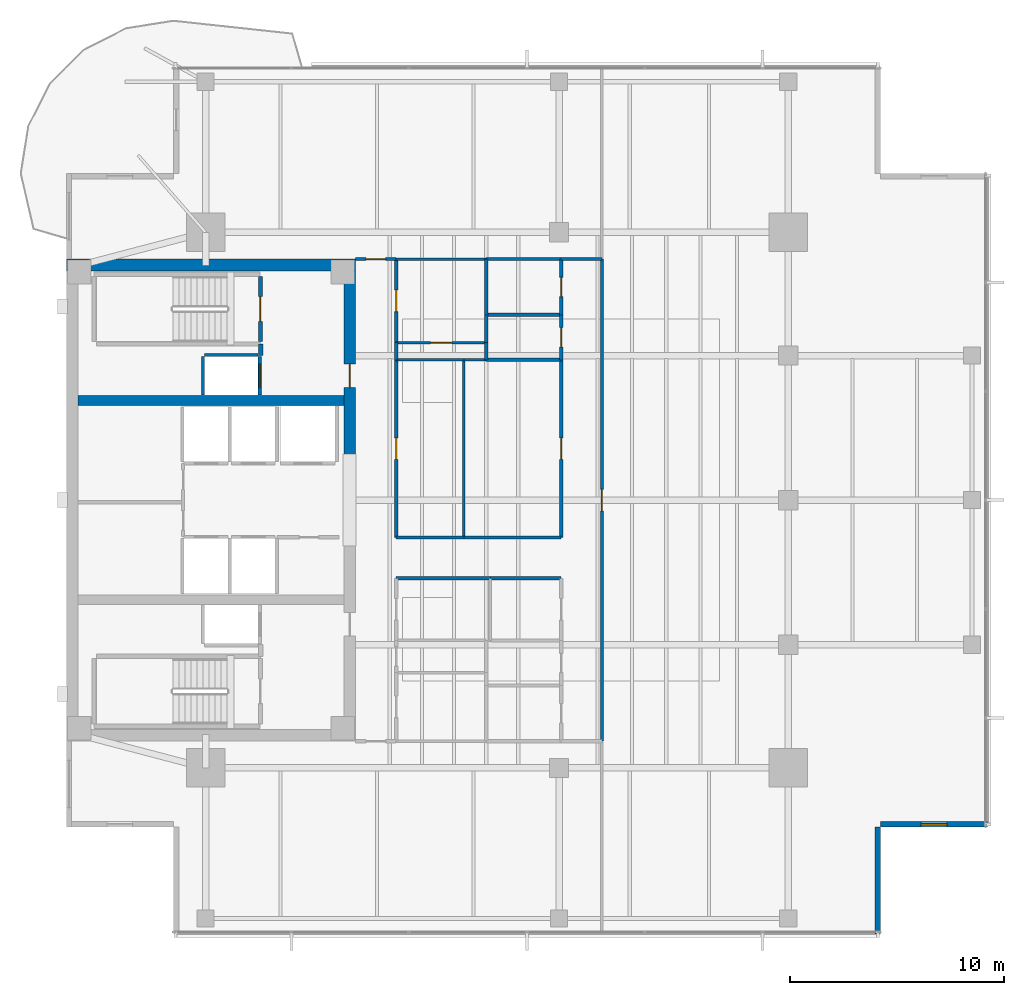
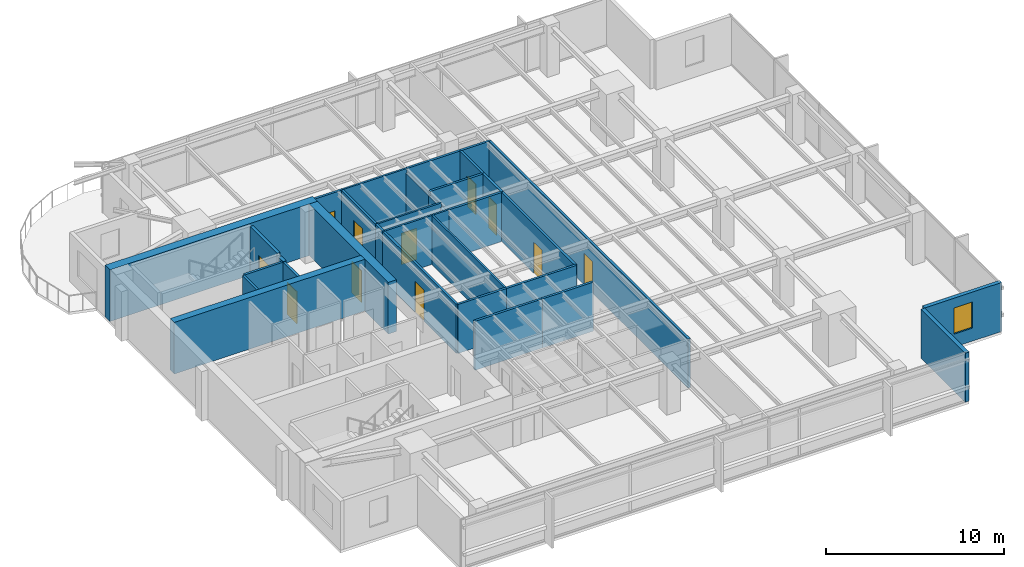
# One storey, part 9 of 14: 34 walls, 11 doors, 1 window, 12 openings.
"""IFC4 building model written with IfcOpenShell, lengths in metres."""

from ifc_helpers import new_model, si_unit, direction, frame, frame_2d, origin, place, context, subcontext, project, spatial, rectangle, extrude, material, layer, layer_set, type_object, element, fill, save


model = new_model("IFC4")

# Units and contexts
model_context = context("Model", 3, precision=1e-05, world=origin(), true_north=direction((0.0, 1.0)))
body_context = subcontext(model_context, "Body", "Model", "MODEL_VIEW")
ifc_project = project(units=[si_unit("LENGTHUNIT", "METRE"), si_unit("AREAUNIT", "SQUARE_METRE"), si_unit("VOLUMEUNIT", "CUBIC_METRE"), si_unit("PLANEANGLEUNIT", "RADIAN"), si_unit("MASSUNIT", "GRAM", prefix="KILO")], contexts=[model_context])

# Site, building, storey
site_placement = place(None, origin())
site = spatial("IfcSite", under=ifc_project, at=site_placement, CompositionType="ELEMENT")
building_placement = place(site_placement, origin())
building = spatial("IfcBuilding", under=site, at=building_placement, Name="Kinhvarn Gate Tower", CompositionType="ELEMENT")
storey_placement = place(building_placement, frame((0.0, 0.0, 195.14990234375)))
storey = spatial("IfcBuildingStorey", under=building, at=storey_placement, Name="L51", CompositionType="ELEMENT", Elevation=195.14990234375)

# Walls
ifc_material_1 = material(Name="Concrete C50/60", Category="concrete")
ifc_layer_1 = layer(ifc_material_1, 0.449951171875)
ifc_layer_set_1 = layer_set([ifc_layer_1], Name="Concrete C50/60")
wall_type_1 = type_object("IfcWallType", Name="WL-CORE-450", PredefinedType="SHEAR", material=ifc_layer_set_1)
wall_1_placement = place(storey_placement, frame((5.050048828125, 29.89990234375, 0.0), z_axis=(0.0, 0.0, 1.0), x_axis=(1.0, 0.0, 0.0)))
element("IfcWall", 1, at=wall_1_placement, inside=storey, type_object=wall_type_1, Name="Core North Spine Shear Wall L51 450 mm", PredefinedType="SHEAR", context=body_context, shape_type="SweptSolid", body=[
    extrude(rectangle(XDim=12.39990234375, YDim=0.449951171875, at=frame_2d((6.199951171875, 0.0))), origin(), (0.0, 0.0, 1.0), 3.550048828125),
])
ifc_material_2 = material(Name="Concrete C60/75", Category="concrete")
ifc_layer_2 = layer(ifc_material_2, 0.550048828125)
ifc_layer_set_2 = layer_set([ifc_layer_2], Name="Concrete C60/75")
wall_type_2 = type_object("IfcWallType", Name="WL-CORE-550", PredefinedType="SHEAR", material=ifc_layer_set_2)
wall_2_placement = place(storey_placement, frame((4.5, 36.22509765625, 0.0), z_axis=(0.0, 0.0, 1.0), x_axis=(1.0, 0.0, 0.0)))
element("IfcWall", 2, at=wall_2_placement, inside=storey, type_object=wall_type_2, Name="Core North Shear Wall L51 550 mm", PredefinedType="SHEAR", context=body_context, shape_type="SweptSolid", body=[
    extrude(rectangle(XDim=13.5, YDim=0.550048828125, at=frame_2d((6.75, 0.0))), origin(), (0.0, 0.0, 1.0), 3.550048828125),
])

# Wall, opening, door
wall_3_placement = place(storey_placement, frame((17.72509765625, 27.050048828125, 0.0), z_axis=(0.0, 0.0, 1.0), x_axis=(0.0, 1.0, 0.0)))
wall_3 = element("IfcWall", 3, at=wall_3_placement, inside=storey, type_object=wall_type_2, Name="Core East-North Shear Pier L51 550 mm", PredefinedType="SHEAR", context=body_context, shape_type="SweptSolid", body=[
    extrude(rectangle(XDim=8.89990234375, YDim=0.550048828125, at=frame_2d((4.449951171875, 0.0))), origin(), (0.0, 0.0, 1.0), 3.550048828125),
])
opening_1_placement = place(wall_3_placement, frame((3.449951171875, 0.0, 0.0)))
opening_1 = element("IfcOpeningElement", 4, at=opening_1_placement, cuts=wall_3, Name="Opening FD-02", PredefinedType="OPENING", context=body_context, shape_type="SweptSolid", body=[
    extrude(rectangle(XDim=1.10009765625, YDim=2.14990234375, at=frame_2d((0.550048828125, 1.074951171875))), frame((0.0, 0.28515625, 0.0), z_axis=(0.0, -1.0, 0.0), x_axis=(1.0, 0.0, 0.0)), (0.0, 0.0, 1.0), 0.570068359375),
])
ifc_material_3 = material(Name="Anodised aluminium AW-6063", Category="aluminium")
door_type_1 = type_object("IfcDoorType", Name="DR-FD-1100", OperationType="NOTDEFINED", PredefinedType="DOOR", material=ifc_material_3)
door_1_placement = place(opening_1_placement, origin())
door_1 = element("IfcDoor", 5, at=door_1_placement, inside=storey, type_object=door_type_1, Name="Firefighting Lobby Core Door (L51)", OperationType="SINGLE_SWING_LEFT", OverallHeight=2.14990234375, OverallWidth=1.10009765625, PredefinedType="DOOR", context=body_context, shape_type="SweptSolid", body=[
    extrude(rectangle(XDim=1.10009765625, YDim=2.14990234375, at=frame_2d((0.550048828125, 1.074951171875))), frame((0.0, 0.02490234375, 0.0), z_axis=(0.0, -1.0, 0.0), x_axis=(1.0, 0.0, 0.0)), (0.0, 0.0, 1.0), 0.050048828125),
])
fill(opening_1, door_1)

# Wall
ifc_material_4 = material(Name="Fired architectural terracotta", Category="masonry")
ifc_layer_3 = layer(ifc_material_4, 0.25)
ifc_layer_set_3 = layer_set([ifc_layer_3], Name="Fired architectural terracotta")
wall_type_3 = type_object("IfcWallType", Name="WL-EXT-250", PredefinedType="SOLIDWALL", material=ifc_layer_set_3)
wall_4_placement = place(storey_placement, frame((42.375, 5.0, 0.0), z_axis=(0.0, 0.0, 1.0), x_axis=(0.0, 1.0, 0.0)))
element("IfcWall", 6, at=wall_4_placement, inside=storey, type_object=wall_type_3, Name="Exterior Solidwall Wall EW-250 (L51 SE-Notch-1)", PredefinedType="SOLIDWALL", context=body_context, shape_type="SweptSolid", body=[
    extrude(rectangle(XDim=5.0, YDim=0.25, at=frame_2d((2.5, 0.0))), origin(), (0.0, 0.0, 1.0), 3.3701171875),
])

# Wall, opening, window
wall_5_placement = place(storey_placement, frame((42.5, 10.125, 0.0), z_axis=(0.0, 0.0, 1.0), x_axis=(1.0, 0.0, 0.0)))
wall_5 = element("IfcWall", 7, at=wall_5_placement, inside=storey, type_object=wall_type_3, Name="Exterior Solidwall Wall EW-250 (L51 SE-Notch-2)", PredefinedType="SOLIDWALL", context=body_context, shape_type="SweptSolid", body=[
    extrude(rectangle(XDim=5.0, YDim=0.25, at=frame_2d((2.5, 0.0))), origin(), (0.0, 0.0, 1.0), 3.3701171875),
])
opening_2_placement = place(wall_5_placement, frame((1.89990234375, 0.0, 0.89990234375)))
opening_2 = element("IfcOpeningElement", 8, at=opening_2_placement, cuts=wall_5, Name="Opening WN-02", PredefinedType="OPENING", context=body_context, shape_type="SweptSolid", body=[
    extrude(rectangle(XDim=1.199951171875, YDim=1.800048828125, at=frame_2d((0.60009765625, 0.89990234375))), frame((0.0, 0.135009765625, 0.0), z_axis=(0.0, -1.0, 0.0), x_axis=(1.0, 0.0, 0.0)), (0.0, 0.0, 1.0), 0.27001953125),
])
ifc_material_5 = material(Name="Clear low-e double glazing", Category="glass")
window_type = type_object("IfcWindowType", Name="WIN-NTC-1200", PartitioningType="SINGLE_PANEL", PredefinedType="WINDOW", material=ifc_material_5)
window_placement = place(opening_2_placement, origin())
window = element("IfcWindow", 9, at=window_placement, inside=storey, type_object=window_type, Name="Recessed Corner Notch Punched Window 1200x1800 mm (L51)", OverallHeight=1.800048828125, OverallWidth=1.199951171875, PartitioningType="SINGLE_PANEL", PredefinedType="WINDOW", context=body_context, shape_type="SweptSolid", body=[
    extrude(rectangle(XDim=1.199951171875, YDim=1.800048828125, at=frame_2d((0.60009765625, 0.89990234375))), frame((0.0, 0.030029296875, 0.0), z_axis=(0.0, -1.0, 0.0), x_axis=(1.0, 0.0, 0.0)), (0.0, 0.0, 1.0), 0.06005859375),
])
fill(opening_2, window)

# Walls
ifc_material_6 = material(Name="Gypsum acoustic partition board")
ifc_layer_4 = layer(ifc_material_6, 0.14990234375)
ifc_layer_set_4 = layer_set([ifc_layer_4], Name="Gypsum acoustic partition board")
wall_type_4 = type_object("IfcWallType", Name="WL-PLM-150", PredefinedType="PLUMBINGWALL", material=ifc_layer_set_4)
wall_6_placement = place(storey_placement, frame((24.10009765625, 33.89990234375, 0.0), z_axis=(0.0, 0.0, 1.0), x_axis=(1.0, 0.0, 0.0)))
element("IfcWall", 10, at=wall_6_placement, inside=storey, type_object=wall_type_4, Name="Interior Partition PLW-150 (L51)", PredefinedType="PLUMBINGWALL", context=body_context, shape_type="SweptSolid", body=[
    extrude(rectangle(XDim=3.5, YDim=0.14990234375, at=frame_2d((1.75, 0.0))), origin(), (0.0, 0.0, 1.0), 3.3701171875),
])
wall_7_placement = place(storey_placement, frame((24.10009765625, 33.89990234375, 0.0), z_axis=(0.0, 0.0, 1.0), x_axis=(0.0, 1.0, 0.0)))
element("IfcWall", 11, at=wall_7_placement, inside=storey, type_object=wall_type_4, Name="Interior Partition PLW-150 (L51)", PredefinedType="PLUMBINGWALL", context=body_context, shape_type="SweptSolid", body=[
    extrude(rectangle(XDim=2.60009765625, YDim=0.14990234375, at=frame_2d((1.300048828125, 0.0))), origin(), (0.0, 0.0, 1.0), 3.070068359375),
])
wall_8_placement = place(storey_placement, frame((24.10009765625, 36.5, 0.0), z_axis=(0.0, 0.0, 1.0), x_axis=(1.0, 0.0, 0.0)))
element("IfcWall", 12, at=wall_8_placement, inside=storey, type_object=wall_type_4, Name="Interior Partition PLW-150 (L51)", PredefinedType="PLUMBINGWALL", context=body_context, shape_type="SweptSolid", body=[
    extrude(rectangle(XDim=3.5, YDim=0.14990234375, at=frame_2d((1.75, 0.0))), origin(), (0.0, 0.0, 1.0), 3.3701171875),
])
wall_9_placement = place(storey_placement, frame((24.10009765625, 32.60009765625, 0.0), z_axis=(0.0, 0.0, 1.0), x_axis=(0.0, 1.0, 0.0)))
element("IfcWall", 13, at=wall_9_placement, inside=storey, type_object=wall_type_4, Name="Interior Partition PLW-150 (L51)", PredefinedType="PLUMBINGWALL", context=body_context, shape_type="SweptSolid", body=[
    extrude(rectangle(XDim=1.2998046875, YDim=0.14990234375, at=frame_2d((0.64990234375, 0.0))), origin(), (0.0, 0.0, 1.0), 3.070068359375),
])
wall_10_placement = place(storey_placement, frame((24.10009765625, 31.800048828125, 0.0), z_axis=(0.0, 0.0, 1.0), x_axis=(0.0, 1.0, 0.0)))
element("IfcWall", 14, at=wall_10_placement, inside=storey, type_object=wall_type_4, Name="Interior Partition PLW-150 (L51)", PredefinedType="PLUMBINGWALL", context=body_context, shape_type="SweptSolid", body=[
    extrude(rectangle(XDim=0.800048828125, YDim=0.14990234375, at=frame_2d((0.39990234375, 0.0))), origin(), (0.0, 0.0, 1.0), 3.070068359375),
])
wall_11_placement = place(storey_placement, frame((24.10009765625, 31.800048828125, 0.0), z_axis=(0.0, 0.0, 1.0), x_axis=(1.0, 0.0, 0.0)))
element("IfcWall", 15, at=wall_11_placement, inside=storey, type_object=wall_type_4, Name="Interior Partition PLW-150 (L51)", PredefinedType="PLUMBINGWALL", context=body_context, shape_type="SweptSolid", body=[
    extrude(rectangle(XDim=3.5, YDim=0.14990234375, at=frame_2d((1.75, 0.0))), origin(), (0.0, 0.0, 1.0), 3.3701171875),
])

# Wall, opening, door
ifc_layer_5 = layer(ifc_material_6, 0.14990234375)
ifc_layer_set_5 = layer_set([ifc_layer_5], Name="Gypsum acoustic partition board")
wall_type_5 = type_object("IfcWallType", Name="WL-PLM-150F", PredefinedType="PLUMBINGWALL", material=ifc_layer_set_5)
wall_12_placement = place(storey_placement, frame((27.60009765625, 33.89990234375, 0.0), z_axis=(0.0, 0.0, 1.0), x_axis=(0.0, 1.0, 0.0)))
wall_12 = element("IfcWall", 16, at=wall_12_placement, inside=storey, type_object=wall_type_5, Name="Interior Partition PLW-150F (L51)", PredefinedType="PLUMBINGWALL", context=body_context, shape_type="SweptSolid", body=[
    extrude(rectangle(XDim=2.60009765625, YDim=0.14990234375, at=frame_2d((1.300048828125, 0.0))), origin(), (0.0, 0.0, 1.0), 3.3701171875),
])
opening_3_placement = place(wall_12_placement, frame((0.85009765625, 0.0, 0.0)))
opening_3 = element("IfcOpeningElement", 17, at=opening_3_placement, cuts=wall_12, Name="Opening FD-04", PredefinedType="OPENING", context=body_context, shape_type="SweptSolid", body=[
    extrude(rectangle(XDim=0.89990234375, YDim=2.10009765625, at=frame_2d((0.449951171875, 1.050048828125))), frame((0.0, 0.0849609375, 0.0), z_axis=(0.0, -1.0, 0.0), x_axis=(1.0, 0.0, 0.0)), (0.0, 0.0, 1.0), 0.169921875),
])
door_type_2 = type_object("IfcDoorType", Name="DR-FD-900", OperationType="NOTDEFINED", PredefinedType="DOOR", material=ifc_material_3)
door_2_placement = place(opening_3_placement, origin())
door_2 = element("IfcDoor", 18, at=door_2_placement, inside=storey, type_object=door_type_2, Name="Rated Riser & Service Closet Fire Door 900x2100 mm (L51)", OperationType="SINGLE_SWING_RIGHT", OverallHeight=2.10009765625, OverallWidth=0.89990234375, PredefinedType="DOOR", context=body_context, shape_type="SweptSolid", body=[
    extrude(rectangle(XDim=0.89990234375, YDim=2.10009765625, at=frame_2d((0.449951171875, 1.050048828125))), frame((0.0, 0.02490234375, 0.0), z_axis=(0.0, -1.0, 0.0), x_axis=(1.0, 0.0, 0.0)), (0.0, 0.0, 1.0), 0.050048828125),
])
fill(opening_3, door_2)

wall_13_placement = place(storey_placement, frame((27.60009765625, 31.800048828125, 0.0), z_axis=(0.0, 0.0, 1.0), x_axis=(0.0, 1.0, 0.0)))
wall_13 = element("IfcWall", 19, at=wall_13_placement, inside=storey, type_object=wall_type_5, Name="Interior Partition PLW-150F (L51)", PredefinedType="PLUMBINGWALL", context=body_context, shape_type="SweptSolid", body=[
    extrude(rectangle(XDim=2.099853515625, YDim=0.14990234375, at=frame_2d((1.0498046875, 0.0))), origin(), (0.0, 0.0, 1.0), 3.3701171875),
])
opening_4_placement = place(wall_13_placement, frame((0.60009765625, 0.0, 0.0)))
opening_4 = element("IfcOpeningElement", 20, at=opening_4_placement, cuts=wall_13, Name="Opening FD-04", PredefinedType="OPENING", context=body_context, shape_type="SweptSolid", body=[
    extrude(rectangle(XDim=0.89990234375, YDim=2.10009765625, at=frame_2d((0.449951171875, 1.050048828125))), frame((0.0, 0.0849609375, 0.0), z_axis=(0.0, -1.0, 0.0), x_axis=(1.0, 0.0, 0.0)), (0.0, 0.0, 1.0), 0.169921875),
])
door_3_placement = place(opening_4_placement, origin())
door_3 = element("IfcDoor", 21, at=door_3_placement, inside=storey, type_object=door_type_2, Name="Rated Riser & Service Closet Fire Door 900x2100 mm (L51)", OperationType="SINGLE_SWING_RIGHT", OverallHeight=2.10009765625, OverallWidth=0.89990234375, PredefinedType="DOOR", context=body_context, shape_type="SweptSolid", body=[
    extrude(rectangle(XDim=0.89990234375, YDim=2.10009765625, at=frame_2d((0.449951171875, 1.050048828125))), frame((0.0, 0.02490234375, 0.0), z_axis=(0.0, -1.0, 0.0), x_axis=(1.0, 0.0, 0.0)), (0.0, 0.0, 1.0), 0.050048828125),
])
fill(opening_4, door_3)

ifc_layer_6 = layer(ifc_material_6, 0.1201171875)
ifc_layer_set_6 = layer_set([ifc_layer_6], Name="Gypsum acoustic partition board")
wall_type_6 = type_object("IfcWallType", Name="WL-PRT-120", PredefinedType="PARTITIONING", material=ifc_layer_set_6)
wall_14_placement = place(storey_placement, frame((19.89990234375, 32.60009765625, 0.0), z_axis=(0.0, 0.0, 1.0), x_axis=(1.0, 0.0, 0.0)))
wall_14 = element("IfcWall", 22, at=wall_14_placement, inside=storey, type_object=wall_type_6, Name="Interior Partition PW-120 (L51)", PredefinedType="PARTITIONING", context=body_context, shape_type="SweptSolid", body=[
    extrude(rectangle(XDim=4.2001953125, YDim=0.1201171875, at=frame_2d((2.10009765625, 0.0))), origin(), (0.0, 0.0, 1.0), 3.3701171875),
])
opening_5_placement = place(wall_14_placement, frame((1.60009765625, 0.0, 0.0)))
opening_5 = element("IfcOpeningElement", 23, at=opening_5_placement, cuts=wall_14, Name="Opening ID-02", PredefinedType="OPENING", context=body_context, shape_type="SweptSolid", body=[
    extrude(rectangle(XDim=1.0, YDim=2.14990234375, at=frame_2d((0.5, 1.074951171875))), frame((0.0, 0.070068359375, 0.0), z_axis=(0.0, -1.0, 0.0), x_axis=(1.0, 0.0, 0.0)), (0.0, 0.0, 1.0), 0.14013671875),
])
door_type_3 = type_object("IfcDoorType", Name="DR-INT-1000", OperationType="NOTDEFINED", PredefinedType="DOOR", material=ifc_material_3)
door_4_placement = place(opening_5_placement, origin())
door_4 = element("IfcDoor", 24, at=door_4_placement, inside=storey, type_object=door_type_3, Name="Standard Office & Meeting Room Door 1000x2150 mm (L51)", OperationType="SINGLE_SWING_RIGHT", OverallHeight=2.14990234375, OverallWidth=1.0, PredefinedType="DOOR", context=body_context, shape_type="SweptSolid", body=[
    extrude(rectangle(XDim=1.0, YDim=2.14990234375, at=frame_2d((0.5, 1.074951171875))), frame((0.0, 0.02490234375, 0.0), z_axis=(0.0, -1.0, 0.0), x_axis=(1.0, 0.0, 0.0)), (0.0, 0.0, 1.0), 0.050048828125),
])
fill(opening_5, door_4)

# Walls
wall_15_placement = place(storey_placement, frame((19.89990234375, 36.5, 0.0), z_axis=(0.0, 0.0, 1.0), x_axis=(1.0, 0.0, 0.0)))
element("IfcWall", 25, at=wall_15_placement, inside=storey, type_object=wall_type_6, Name="Interior Partition PW-120 (L51)", PredefinedType="PARTITIONING", context=body_context, shape_type="SweptSolid", body=[
    extrude(rectangle(XDim=4.2001953125, YDim=0.1201171875, at=frame_2d((2.10009765625, 0.0))), origin(), (0.0, 0.0, 1.0), 3.3701171875),
])
wall_16_placement = place(storey_placement, frame((19.89990234375, 31.800048828125, 0.0), z_axis=(0.0, 0.0, 1.0), x_axis=(1.0, 0.0, 0.0)))
element("IfcWall", 26, at=wall_16_placement, inside=storey, type_object=wall_type_6, Name="Interior Partition PW-120 (L51)", PredefinedType="PARTITIONING", context=body_context, shape_type="SweptSolid", body=[
    extrude(rectangle(XDim=3.16015625, YDim=0.1201171875, at=frame_2d((1.580078125, 0.0))), origin(), (0.0, 0.0, 1.0), 3.3701171875),
])
wall_17_placement = place(storey_placement, frame((23.06005859375, 31.800048828125, 0.0), z_axis=(0.0, 0.0, 1.0), x_axis=(1.0, 0.0, 0.0)))
element("IfcWall", 27, at=wall_17_placement, inside=storey, type_object=wall_type_6, Name="Interior Partition PW-120 (L51)", PredefinedType="PARTITIONING", context=body_context, shape_type="SweptSolid", body=[
    extrude(rectangle(XDim=1.0400390625, YDim=0.1201171875, at=frame_2d((0.52001953125, 0.0))), origin(), (0.0, 0.0, 1.0), 3.3701171875),
])
wall_18_placement = place(storey_placement, frame((23.06005859375, 23.5, 0.0), z_axis=(0.0, 0.0, 1.0), x_axis=(0.0, 1.0, 0.0)))
element("IfcWall", 28, at=wall_18_placement, inside=storey, type_object=wall_type_6, Name="Interior Partition PW-120 (L51)", PredefinedType="PARTITIONING", context=body_context, shape_type="SweptSolid", body=[
    extrude(rectangle(XDim=8.300048828125, YDim=0.1201171875, at=frame_2d((4.14990234375, 0.0))), origin(), (0.0, 0.0, 1.0), 3.3701171875),
])

# Wall, opening, door
ifc_layer_7 = layer(ifc_material_6, 0.14990234375)
ifc_layer_set_7 = layer_set([ifc_layer_7], Name="Gypsum acoustic partition board")
wall_type_7 = type_object("IfcWallType", Name="WL-PRT-150F", PredefinedType="PARTITIONING", material=ifc_layer_set_7)
wall_19_placement = place(storey_placement, frame((19.89990234375, 32.60009765625, 0.0), z_axis=(0.0, 0.0, 1.0), x_axis=(0.0, 1.0, 0.0)))
wall_19 = element("IfcWall", 29, at=wall_19_placement, inside=storey, type_object=wall_type_7, Name="Interior Partition PW-150F (L51)", PredefinedType="PARTITIONING", context=body_context, shape_type="SweptSolid", body=[
    extrude(rectangle(XDim=3.89990234375, YDim=0.14990234375, at=frame_2d((1.949951171875, 0.0))), origin(), (0.0, 0.0, 1.0), 3.3701171875),
])
opening_6_placement = place(wall_19_placement, frame((1.449951171875, 0.0, 0.0)))
opening_6 = element("IfcOpeningElement", 30, at=opening_6_placement, cuts=wall_19, Name="Opening ID-02", PredefinedType="OPENING", context=body_context, shape_type="SweptSolid", body=[
    extrude(rectangle(XDim=1.0, YDim=2.14990234375, at=frame_2d((0.5, 1.074951171875))), frame((0.0, 0.0849609375, 0.0), z_axis=(0.0, -1.0, 0.0), x_axis=(1.0, 0.0, 0.0)), (0.0, 0.0, 1.0), 0.169921875),
])
door_5_placement = place(opening_6_placement, origin())
door_5 = element("IfcDoor", 31, at=door_5_placement, inside=storey, type_object=door_type_3, Name="Standard Office & Meeting Room Door 1000x2150 mm (L51)", OperationType="SINGLE_SWING_RIGHT", OverallHeight=2.14990234375, OverallWidth=1.0, PredefinedType="DOOR", context=body_context, shape_type="SweptSolid", body=[
    extrude(rectangle(XDim=1.0, YDim=2.14990234375, at=frame_2d((0.5, 1.074951171875))), frame((0.0, 0.02490234375, 0.0), z_axis=(0.0, -1.0, 0.0), x_axis=(1.0, 0.0, 0.0)), (0.0, 0.0, 1.0), 0.050048828125),
])
fill(opening_6, door_5)

# Wall
wall_20_placement = place(storey_placement, frame((19.89990234375, 31.800048828125, 0.0), z_axis=(0.0, 0.0, 1.0), x_axis=(0.0, 1.0, 0.0)))
element("IfcWall", 32, at=wall_20_placement, inside=storey, type_object=wall_type_7, Name="Interior Partition PW-150F (L51)", PredefinedType="PARTITIONING", context=body_context, shape_type="SweptSolid", body=[
    extrude(rectangle(XDim=0.800048828125, YDim=0.14990234375, at=frame_2d((0.39990234375, 0.0))), origin(), (0.0, 0.0, 1.0), 3.3701171875),
])

# Wall, opening, door
wall_21_placement = place(storey_placement, frame((19.89990234375, 23.5, 0.0), z_axis=(0.0, 0.0, 1.0), x_axis=(0.0, 1.0, 0.0)))
wall_21 = element("IfcWall", 33, at=wall_21_placement, inside=storey, type_object=wall_type_7, Name="Interior Partition PW-150F (L51)", PredefinedType="PARTITIONING", context=body_context, shape_type="SweptSolid", body=[
    extrude(rectangle(XDim=8.300048828125, YDim=0.14990234375, at=frame_2d((4.14990234375, 0.0))), origin(), (0.0, 0.0, 1.0), 3.3701171875),
])
opening_7_placement = place(wall_21_placement, frame((3.64990234375, 0.0, 0.0)))
opening_7 = element("IfcOpeningElement", 34, at=opening_7_placement, cuts=wall_21, Name="Opening ID-02", PredefinedType="OPENING", context=body_context, shape_type="SweptSolid", body=[
    extrude(rectangle(XDim=1.0, YDim=2.14990234375, at=frame_2d((0.5, 1.074951171875))), frame((0.0, 0.0849609375, 0.0), z_axis=(0.0, -1.0, 0.0), x_axis=(1.0, 0.0, 0.0)), (0.0, 0.0, 1.0), 0.169921875),
])
door_6_placement = place(opening_7_placement, origin())
door_6 = element("IfcDoor", 35, at=door_6_placement, inside=storey, type_object=door_type_3, Name="Standard Office & Meeting Room Door 1000x2150 mm (L51)", OperationType="SINGLE_SWING_RIGHT", OverallHeight=2.14990234375, OverallWidth=1.0, PredefinedType="DOOR", context=body_context, shape_type="SweptSolid", body=[
    extrude(rectangle(XDim=1.0, YDim=2.14990234375, at=frame_2d((0.5, 1.074951171875))), frame((0.0, 0.02490234375, 0.0), z_axis=(0.0, -1.0, 0.0), x_axis=(1.0, 0.0, 0.0)), (0.0, 0.0, 1.0), 0.050048828125),
])
fill(opening_7, door_6)

wall_22_placement = place(storey_placement, frame((18.0, 36.5, 0.0), z_axis=(0.0, 0.0, 1.0), x_axis=(1.0, 0.0, 0.0)))
wall_22 = element("IfcWall", 36, at=wall_22_placement, inside=storey, type_object=wall_type_7, Name="Interior Partition PW-150F (L51)", PredefinedType="PARTITIONING", context=body_context, shape_type="SweptSolid", body=[
    extrude(rectangle(XDim=1.89990234375, YDim=0.14990234375, at=frame_2d((0.949951171875, 0.0))), origin(), (0.0, 0.0, 1.0), 3.3701171875),
])
opening_8_placement = place(wall_22_placement, frame((0.5, 0.0, 0.0)))
opening_8 = element("IfcOpeningElement", 37, at=opening_8_placement, cuts=wall_22, Name="Opening ID-03", PredefinedType="OPENING", context=body_context, shape_type="SweptSolid", body=[
    extrude(rectangle(XDim=0.89990234375, YDim=2.10009765625, at=frame_2d((0.449951171875, 1.050048828125))), frame((0.0, 0.0849609375, 0.0), z_axis=(0.0, -1.0, 0.0), x_axis=(1.0, 0.0, 0.0)), (0.0, 0.0, 1.0), 0.169921875),
])
door_type_4 = type_object("IfcDoorType", Name="DR-INT-900", OperationType="NOTDEFINED", PredefinedType="DOOR", material=ifc_material_3)
door_7_placement = place(opening_8_placement, origin())
door_7 = element("IfcDoor", 38, at=door_7_placement, inside=storey, type_object=door_type_4, Name="Cellular Office & Restroom Door 900x2100 mm (L51)", OperationType="SINGLE_SWING_RIGHT", OverallHeight=2.10009765625, OverallWidth=0.89990234375, PredefinedType="DOOR", context=body_context, shape_type="SweptSolid", body=[
    extrude(rectangle(XDim=0.89990234375, YDim=2.10009765625, at=frame_2d((0.449951171875, 1.050048828125))), frame((0.0, 0.02490234375, 0.0), z_axis=(0.0, -1.0, 0.0), x_axis=(1.0, 0.0, 0.0)), (0.0, 0.0, 1.0), 0.050048828125),
])
fill(opening_8, door_7)

# Walls
wall_23_placement = place(storey_placement, frame((19.89990234375, 21.60009765625, 0.0), z_axis=(0.0, 0.0, 1.0), x_axis=(1.0, 0.0, 0.0)))
element("IfcWall", 39, at=wall_23_placement, inside=storey, type_object=wall_type_7, Name="Interior Partition PW-150F (L51)", PredefinedType="PARTITIONING", context=body_context, shape_type="SweptSolid", body=[
    extrude(rectangle(XDim=4.39013671875, YDim=0.14990234375, at=frame_2d((2.195068359375, 0.0))), origin(), (0.0, 0.0, 1.0), 3.3701171875),
])
wall_24_placement = place(storey_placement, frame((24.2900390625, 21.60009765625, 0.0), z_axis=(0.0, 0.0, 1.0), x_axis=(1.0, 0.0, 0.0)))
element("IfcWall", 40, at=wall_24_placement, inside=storey, type_object=wall_type_7, Name="Interior Partition PW-150F (L51)", PredefinedType="PARTITIONING", context=body_context, shape_type="SweptSolid", body=[
    extrude(rectangle(XDim=3.31005859375, YDim=0.14990234375, at=frame_2d((1.655029296875, 0.0))), origin(), (0.0, 0.0, 1.0), 3.3701171875),
])
wall_25_placement = place(storey_placement, frame((19.89990234375, 23.5, 0.0), z_axis=(0.0, 0.0, 1.0), x_axis=(1.0, 0.0, 0.0)))
element("IfcWall", 41, at=wall_25_placement, inside=storey, type_object=wall_type_7, Name="Interior Partition PW-150F (L51)", PredefinedType="PARTITIONING", context=body_context, shape_type="SweptSolid", body=[
    extrude(rectangle(XDim=3.16015625, YDim=0.14990234375, at=frame_2d((1.580078125, 0.0))), origin(), (0.0, 0.0, 1.0), 3.3701171875),
])
wall_26_placement = place(storey_placement, frame((23.06005859375, 23.5, 0.0), z_axis=(0.0, 0.0, 1.0), x_axis=(1.0, 0.0, 0.0)))
element("IfcWall", 42, at=wall_26_placement, inside=storey, type_object=wall_type_7, Name="Interior Partition PW-150F (L51)", PredefinedType="PARTITIONING", context=body_context, shape_type="SweptSolid", body=[
    extrude(rectangle(XDim=4.5400390625, YDim=0.14990234375, at=frame_2d((2.27001953125, 0.0))), origin(), (0.0, 0.0, 1.0), 3.3701171875),
])

# Wall, opening, door
wall_27_placement = place(storey_placement, frame((27.60009765625, 23.5, 0.0), z_axis=(0.0, 0.0, 1.0), x_axis=(0.0, 1.0, 0.0)))
wall_27 = element("IfcWall", 43, at=wall_27_placement, inside=storey, type_object=wall_type_7, Name="Interior Partition PW-150F (L51)", PredefinedType="PARTITIONING", context=body_context, shape_type="SweptSolid", body=[
    extrude(rectangle(XDim=8.300048828125, YDim=0.14990234375, at=frame_2d((4.14990234375, 0.0))), origin(), (0.0, 0.0, 1.0), 3.3701171875),
])
opening_9_placement = place(wall_27_placement, frame((3.64990234375, 0.0, 0.0)))
opening_9 = element("IfcOpeningElement", 44, at=opening_9_placement, cuts=wall_27, Name="Opening ID-02", PredefinedType="OPENING", context=body_context, shape_type="SweptSolid", body=[
    extrude(rectangle(XDim=1.0, YDim=2.14990234375, at=frame_2d((0.5, 1.074951171875))), frame((0.0, 0.0849609375, 0.0), z_axis=(0.0, -1.0, 0.0), x_axis=(1.0, 0.0, 0.0)), (0.0, 0.0, 1.0), 0.169921875),
])
door_8_placement = place(opening_9_placement, origin())
door_8 = element("IfcDoor", 45, at=door_8_placement, inside=storey, type_object=door_type_3, Name="Standard Office & Meeting Room Door 1000x2150 mm (L51)", OperationType="SINGLE_SWING_RIGHT", OverallHeight=2.14990234375, OverallWidth=1.0, PredefinedType="DOOR", context=body_context, shape_type="SweptSolid", body=[
    extrude(rectangle(XDim=1.0, YDim=2.14990234375, at=frame_2d((0.5, 1.074951171875))), frame((0.0, 0.02490234375, 0.0), z_axis=(0.0, -1.0, 0.0), x_axis=(1.0, 0.0, 0.0)), (0.0, 0.0, 1.0), 0.050048828125),
])
fill(opening_9, door_8)

# Wall
wall_28_placement = place(storey_placement, frame((27.60009765625, 36.5, 0.0), z_axis=(0.0, 0.0, 1.0), x_axis=(1.0, 0.0, 0.0)))
element("IfcWall", 46, at=wall_28_placement, inside=storey, type_object=wall_type_7, Name="Interior Partition PW-150F (L51)", PredefinedType="PARTITIONING", context=body_context, shape_type="SweptSolid", body=[
    extrude(rectangle(XDim=1.89990234375, YDim=0.14990234375, at=frame_2d((0.949951171875, 0.0))), origin(), (0.0, 0.0, 1.0), 3.3701171875),
])

# Wall, opening, door
wall_29_placement = place(storey_placement, frame((29.5, 14.0, 0.0), z_axis=(0.0, 0.0, 1.0), x_axis=(0.0, 1.0, 0.0)))
wall_29 = element("IfcWall", 47, at=wall_29_placement, inside=storey, type_object=wall_type_7, Name="Interior Partition PW-150F (L51)", PredefinedType="PARTITIONING", context=body_context, shape_type="SweptSolid", body=[
    extrude(rectangle(XDim=22.5, YDim=0.14990234375, at=frame_2d((11.25, 0.0))), origin(), (0.0, 0.0, 1.0), 3.3701171875),
])
opening_10_placement = place(wall_29_placement, frame((10.75, 0.0, 0.0)))
opening_10 = element("IfcOpeningElement", 48, at=opening_10_placement, cuts=wall_29, Name="Opening ID-02", PredefinedType="OPENING", context=body_context, shape_type="SweptSolid", body=[
    extrude(rectangle(XDim=1.0, YDim=2.14990234375, at=frame_2d((0.5, 1.074951171875))), frame((0.0, 0.0849609375, 0.0), z_axis=(0.0, -1.0, 0.0), x_axis=(1.0, 0.0, 0.0)), (0.0, 0.0, 1.0), 0.169921875),
])
door_9_placement = place(opening_10_placement, origin())
door_9 = element("IfcDoor", 49, at=door_9_placement, inside=storey, type_object=door_type_3, Name="Standard Office & Meeting Room Door 1000x2150 mm (L51)", OperationType="SINGLE_SWING_LEFT", OverallHeight=2.14990234375, OverallWidth=1.0, PredefinedType="DOOR", context=body_context, shape_type="SweptSolid", body=[
    extrude(rectangle(XDim=1.0, YDim=2.14990234375, at=frame_2d((0.5, 1.074951171875))), frame((0.0, 0.02490234375, 0.0), z_axis=(0.0, -1.0, 0.0), x_axis=(1.0, 0.0, 0.0)), (0.0, 0.0, 1.0), 0.050048828125),
])
fill(opening_10, door_9)

# Walls
ifc_layer_8 = layer(ifc_material_6, 0.199951171875)
ifc_layer_set_8 = layer_set([ifc_layer_8], Name="Gypsum acoustic partition board")
wall_type_8 = type_object("IfcWallType", Name="WL-PRT-200", PredefinedType="PARTITIONING", material=ifc_layer_set_8)
wall_30_placement = place(storey_placement, frame((13.580078125, 32.0, 0.0), z_axis=(0.0, 0.0, 1.0), x_axis=(0.0, 1.0, 0.0)))
element("IfcWall", 50, at=wall_30_placement, inside=storey, type_object=wall_type_8, Name="Interior Partition PW-200 (L51)", PredefinedType="PARTITIONING", context=body_context, shape_type="SweptSolid", body=[
    extrude(rectangle(XDim=0.5400390625, YDim=0.199951171875, at=frame_2d((0.27001953125, 0.0))), origin(), (0.0, 0.0, 1.0), 3.3701171875),
])
ifc_layer_9 = layer(ifc_material_6, 0.14990234375)
ifc_layer_set_9 = layer_set([ifc_layer_9], Name="Gypsum acoustic partition board")
wall_type_9 = type_object("IfcWallType", Name="WL-SHF-150", PredefinedType="PARTITIONING", material=ifc_layer_set_9)
wall_31_placement = place(storey_placement, frame((10.949951171875, 32.02490234375, 0.0), z_axis=(0.0, 0.0, 1.0), x_axis=(1.0, 0.0, 0.0)))
element("IfcWall", 51, at=wall_31_placement, inside=storey, type_object=wall_type_9, Name="Elevator FF2 Hoistway Wall N (L51)", PredefinedType="PARTITIONING", context=body_context, shape_type="SweptSolid", body=[
    extrude(rectangle(XDim=2.5, YDim=0.14990234375, at=frame_2d((1.25, 0.0))), origin(), (0.0, 0.0, 1.0), 3.3701171875),
])
wall_32_placement = place(storey_placement, frame((10.875, 30.14990234375, 0.0), z_axis=(0.0, 0.0, 1.0), x_axis=(0.0, 1.0, 0.0)))
element("IfcWall", 52, at=wall_32_placement, inside=storey, type_object=wall_type_9, Name="Elevator FF2 Hoistway Wall W (L51)", PredefinedType="PARTITIONING", context=body_context, shape_type="SweptSolid", body=[
    extrude(rectangle(XDim=1.800048828125, YDim=0.14990234375, at=frame_2d((0.89990234375, 0.0))), origin(), (0.0, 0.0, 1.0), 3.3701171875),
])

# Wall, opening, door
wall_33_placement = place(storey_placement, frame((13.52490234375, 30.14990234375, 0.0), z_axis=(0.0, 0.0, 1.0), x_axis=(0.0, 1.0, 0.0)))
wall_33 = element("IfcWall", 53, at=wall_33_placement, inside=storey, type_object=wall_type_9, Name="Elevator FF2 Landing Wall (L51)", PredefinedType="PARTITIONING", context=body_context, shape_type="SweptSolid", body=[
    extrude(rectangle(XDim=1.800048828125, YDim=0.14990234375, at=frame_2d((0.89990234375, 0.0))), origin(), (0.0, 0.0, 1.0), 3.3701171875),
])
opening_11_placement = place(wall_33_placement, frame((0.35009765625, 0.0, 0.0)))
opening_11 = element("IfcOpeningElement", 54, at=opening_11_placement, cuts=wall_33, Name="Opening LD-03", PredefinedType="OPENING", context=body_context, shape_type="SweptSolid", body=[
    extrude(rectangle(XDim=1.10009765625, YDim=2.199951171875, at=frame_2d((0.550048828125, 1.10009765625))), frame((0.0, 0.0849609375, 0.0), z_axis=(0.0, -1.0, 0.0), x_axis=(1.0, 0.0, 0.0)), (0.0, 0.0, 1.0), 0.169921875),
])
door_type_5 = type_object("IfcDoorType", Name="DR-LND-FF", OperationType="NOTDEFINED", PredefinedType="DOOR", material=ifc_material_3)
door_10_placement = place(opening_11_placement, origin())
door_10 = element("IfcDoor", 55, at=door_10_placement, inside=storey, type_object=door_type_5, Name="Elevator FF2 Sliding Landing Door (L51)", OperationType="DOUBLE_DOOR_SLIDING", OverallHeight=2.199951171875, OverallWidth=1.10009765625, PredefinedType="DOOR", context=body_context, shape_type="SweptSolid", body=[
    extrude(rectangle(XDim=1.10009765625, YDim=2.199951171875, at=frame_2d((0.550048828125, 1.10009765625))), frame((0.0, 0.02490234375, 0.0), z_axis=(0.0, -1.0, 0.0), x_axis=(1.0, 0.0, 0.0)), (0.0, 0.0, 1.0), 0.050048828125),
])
fill(opening_11, door_10)

ifc_material_7 = material(Name="Concrete C40/50", Category="concrete")
ifc_layer_10 = layer(ifc_material_7, 0.199951171875)
ifc_layer_set_10 = layer_set([ifc_layer_10], Name="Concrete C40/50")
wall_type_10 = type_object("IfcWallType", Name="WL-SHF-200", PredefinedType="SOLIDWALL", material=ifc_layer_set_10)
wall_34_placement = place(storey_placement, frame((13.56005859375, 32.64990234375, 0.0), z_axis=(0.0, 0.0, 1.0), x_axis=(0.0, 1.0, 0.0)))
wall_34 = element("IfcWall", 56, at=wall_34_placement, inside=storey, type_object=wall_type_10, Name="Stair ST2 East Entry Wall (L51)", PredefinedType="SOLIDWALL", context=body_context, shape_type="SweptSolid", body=[
    extrude(rectangle(XDim=3.050048828125, YDim=0.199951171875, at=frame_2d((1.52490234375, 0.0))), origin(), (0.0, 0.0, 1.0), 3.550048828125),
])
opening_12_placement = place(wall_34_placement, frame((0.949951171875, 0.0, 0.0)))
opening_12 = element("IfcOpeningElement", 57, at=opening_12_placement, cuts=wall_34, Name="Opening FD-01", PredefinedType="OPENING", context=body_context, shape_type="SweptSolid", body=[
    extrude(rectangle(XDim=1.14990234375, YDim=2.14990234375, at=frame_2d((0.574951171875, 1.074951171875))), frame((0.0, 0.10986328125, 0.0), z_axis=(0.0, -1.0, 0.0), x_axis=(1.0, 0.0, 0.0)), (0.0, 0.0, 1.0), 0.219970703125),
])
door_type_6 = type_object("IfcDoorType", Name="DR-ST-1150", OperationType="NOTDEFINED", PredefinedType="DOOR", material=ifc_material_3)
door_11_placement = place(opening_12_placement, origin())
door_11 = element("IfcDoor", 58, at=door_11_placement, inside=storey, type_object=door_type_6, Name="Exit Stair ST2 Fire Door (L51)", OperationType="SINGLE_SWING_RIGHT", OverallHeight=2.14990234375, OverallWidth=1.14990234375, PredefinedType="DOOR", context=body_context, shape_type="SweptSolid", body=[
    extrude(rectangle(XDim=1.14990234375, YDim=2.14990234375, at=frame_2d((0.574951171875, 1.074951171875))), frame((0.0, 0.02490234375, 0.0), z_axis=(0.0, -1.0, 0.0), x_axis=(1.0, 0.0, 0.0)), (0.0, 0.0, 1.0), 0.050048828125),
])
fill(opening_12, door_11)

save(model, "model.ifc")
